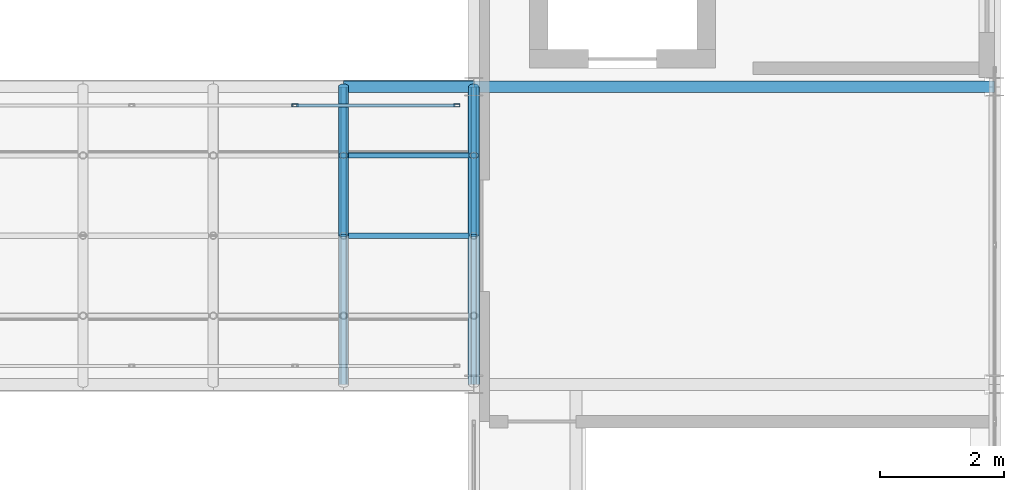
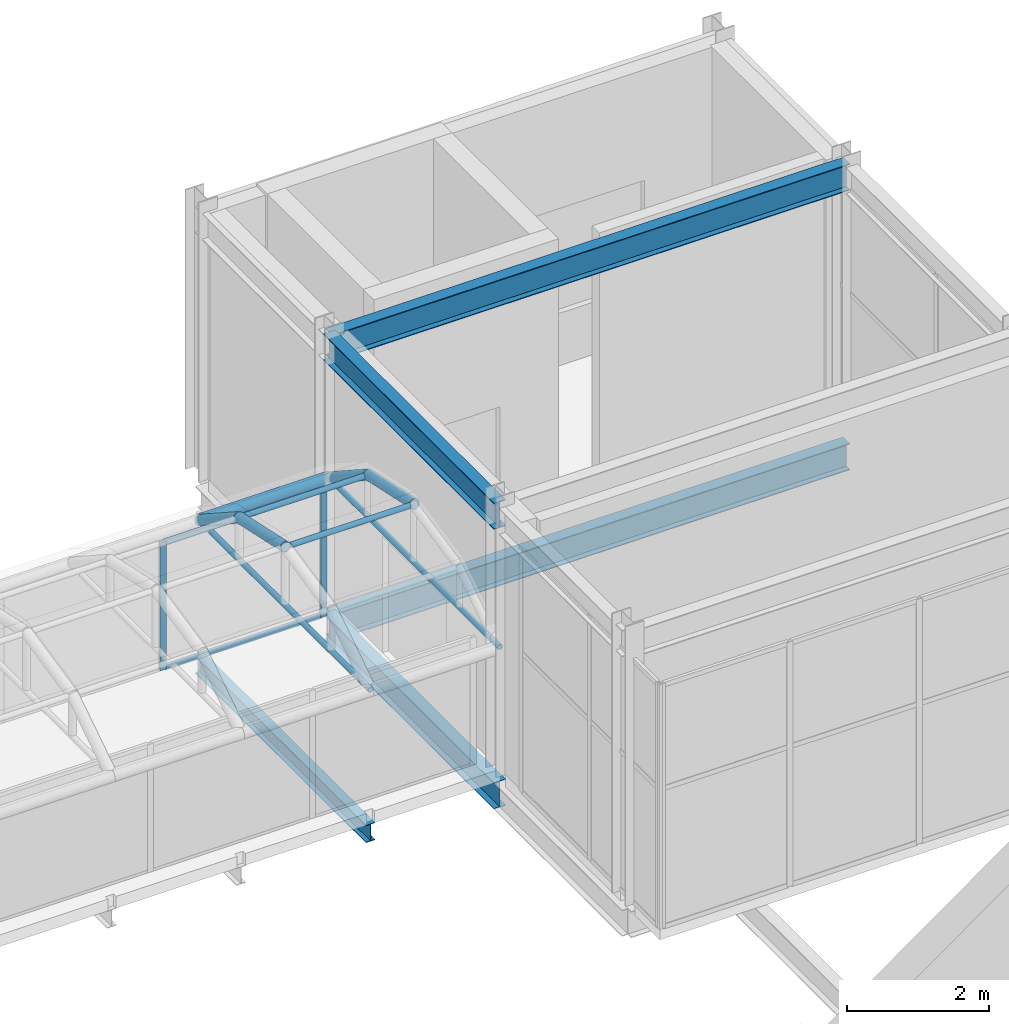
# One storey, part 106 of 167: 11 members, 7 beams, 1 element without a shape of its own.
"""IFC4 building model written with IfcOpenShell, lengths in metres."""

from ifc_helpers import new_model, si_unit, direction, frame, origin, origin_2d, place, context, subcontext, project, spatial, hollow_rectangle, hollow_circle, i_section, extrude, material, material_profile, profile_set, type_object, element, aggregate, save


model = new_model("IFC4")

# Units and contexts
model_context = context("Model", 3, precision=1e-05, world=origin(), true_north=direction((0.0, 1.0)))
body_context = subcontext(model_context, "Body", "Model", "MODEL_VIEW")
ifc_project = project(units=[si_unit("LENGTHUNIT", "METRE"), si_unit("AREAUNIT", "SQUARE_METRE"), si_unit("VOLUMEUNIT", "CUBIC_METRE"), si_unit("PLANEANGLEUNIT", "RADIAN"), si_unit("MASSUNIT", "GRAM", prefix="KILO")], contexts=[model_context])

# Site, building, storey
site_placement = place(None, origin())
site = spatial("IfcSite", under=ifc_project, at=site_placement, CompositionType="ELEMENT")
building_placement = place(site_placement, origin())
building = spatial("IfcBuilding", under=site, at=building_placement, Name="Catenary Quay Ferry Terminal", CompositionType="ELEMENT")
storey_placement = place(building_placement, frame((0.0, 0.0, 6.0)))
storey = spatial("IfcBuildingStorey", under=building, at=storey_placement, Name="L01", CompositionType="ELEMENT", Elevation=6.0)

# Beams
ifc_material_1 = material(Name="Steel S355", Category="steel")
ifc_material_profile_1 = material_profile(ifc_material_1, i_section(OverallWidth=0.18994140625, OverallDepth=0.453369140625, WebThickness=0.008544921875, FlangeThickness=0.0126953125, at=origin_2d()), Name="UB 457x191x67")
ifc_profile_set_1 = profile_set([ifc_material_profile_1], Name="Steel S355")
beam_type_1 = type_object("IfcBeamType", Name="B1 UB 457x191x67", PredefinedType="BEAM", material=ifc_profile_set_1)
beam_1_placement = place(storey_placement, frame((126.0, 94.800048828125, 4.373046875), z_axis=(1.0, 0.0, 0.0), x_axis=(0.0, 1.0, 0.0)))
element("IfcBeam", 1, at=beam_1_placement, inside=storey, type_object=beam_type_1, Name="Beam B1-045", PredefinedType="BEAM", context=body_context, shape_type="SweptSolid", body=[
    extrude(i_section(OverallWidth=0.18994140625, OverallDepth=0.453369140625, WebThickness=0.008544921875, FlangeThickness=0.0126953125, at=origin_2d()), origin(), (0.0, 0.0, 1.0), 8.39990234375),
])
beam_2_placement = place(storey_placement, frame((126.0, 90.0, 4.373046875), z_axis=(0.0, 1.0, 0.0), x_axis=(-1.0, 0.0, 0.0)))
element("IfcBeam", 2, at=beam_2_placement, inside=storey, type_object=beam_type_1, Name="Beam B1-048", PredefinedType="BEAM", context=body_context, shape_type="SweptSolid", body=[
    extrude(i_section(OverallWidth=0.18994140625, OverallDepth=0.453369140625, WebThickness=0.008544921875, FlangeThickness=0.0126953125, at=origin_2d()), origin(), (0.0, 0.0, 1.0), 4.800048828125),
])
beam_3_placement = place(storey_placement, frame((126.0, 94.800048828125, -0.427001953125), z_axis=(1.0, 0.0, 0.0), x_axis=(0.0, 1.0, 0.0)))
element("IfcBeam", 3, at=beam_3_placement, inside=storey, type_object=beam_type_1, Name="Beam B1-074", PredefinedType="BEAM", context=body_context, shape_type="SweptSolid", body=[
    extrude(i_section(OverallWidth=0.18994140625, OverallDepth=0.453369140625, WebThickness=0.008544921875, FlangeThickness=0.0126953125, at=origin_2d()), origin(), (0.0, 0.0, 1.0), 8.39990234375),
])
beam_4_placement = place(storey_placement, frame((126.0, 90.0, -0.427001953125), z_axis=(0.0, 1.0, 0.0), x_axis=(-1.0, 0.0, 0.0)))
element("IfcBeam", 4, at=beam_4_placement, inside=storey, type_object=beam_type_1, Name="Beam B1-077", PredefinedType="BEAM", context=body_context, shape_type="SweptSolid", body=[
    extrude(i_section(OverallWidth=0.18994140625, OverallDepth=0.453369140625, WebThickness=0.008544921875, FlangeThickness=0.0126953125, at=origin_2d()), origin(), (0.0, 0.0, 1.0), 4.800048828125),
])
ifc_material_2 = material(Name="Steel S355", Category="steel")
ifc_material_profile_2 = material_profile(ifc_material_2, i_section(OverallWidth=0.14990234375, OverallDepth=0.300048828125, WebThickness=0.007080078125, FlangeThickness=0.0107421875, at=origin_2d()), Name="IPE 300")
ifc_profile_set_2 = profile_set([ifc_material_profile_2], Name="Steel S355")
beam_type_2 = type_object("IfcBeamType", Name="B2 IPE 300", PredefinedType="BEAM", material=ifc_profile_set_2)
beam_5_placement = place(storey_placement, frame((123.89990234375, 90.0, -0.35009765625), z_axis=(0.0, 1.0, 0.0), x_axis=(-1.0, 0.0, 0.0)))
element("IfcBeam", 5, at=beam_5_placement, inside=storey, type_object=beam_type_2, Name="Beam B2-030", PredefinedType="BEAM", context=body_context, shape_type="SweptSolid", body=[
    extrude(i_section(OverallWidth=0.14990234375, OverallDepth=0.300048828125, WebThickness=0.007080078125, FlangeThickness=0.0107421875, at=origin_2d()), origin(), (0.0, 0.0, 1.0), 4.800048828125),
])

# Curtain wall, members
ifc_material_3 = material(Name="Aluminium and glass", Category="aluminium")
curtain_wall_type = type_object("IfcCurtainWallType", Name="CWB", PredefinedType="NOTDEFINED", material=ifc_material_3)
curtain_wall_placement = place(storey_placement, origin())
curtain_wall = element("IfcCurtainWall", 6, at=curtain_wall_placement, inside=storey, type_object=curtain_wall_type, Name="BB2 curtain wall CW71", PredefinedType="NOTDEFINED")
ifc_material_4 = material(Name="Aluminium", Category="aluminium")
ifc_material_profile_3 = material_profile(ifc_material_4, hollow_rectangle(XDim=0.050048828125, YDim=0.10009765625, WallThickness=0.0048828125, at=origin_2d()), Name="MU1")
ifc_profile_set_3 = profile_set([ifc_material_profile_3], Name="Aluminium")
member_type_1 = type_object("IfcMemberType", Name="MU1", PredefinedType="MULLION", material=ifc_profile_set_3)
member_1_placement = place(storey_placement, frame((123.11669921875, 94.5, 0.0), z_axis=(0.0, 0.0, 1.0), x_axis=(0.0, 1.0, 0.0)))
member_1 = element("IfcMember", 7, at=member_1_placement, type_object=member_type_1, Name="CW71 mullion 3", PredefinedType="MULLION", context=body_context, shape_type="SweptSolid", body=[
    extrude(hollow_rectangle(XDim=0.050048828125, YDim=0.10009765625, WallThickness=0.0048828125, at=origin_2d()), origin(), (0.0, 0.0, 1.0), 2.195068359375),
])
member_2_placement = place(storey_placement, frame((125.72509765625, 94.5, 0.0), z_axis=(0.0, 0.0, 1.0), x_axis=(0.0, 1.0, 0.0)))
member_2 = element("IfcMember", 8, at=member_2_placement, type_object=member_type_1, Name="CW71 mullion 4", PredefinedType="MULLION", context=body_context, shape_type="SweptSolid", body=[
    extrude(hollow_rectangle(XDim=0.050048828125, YDim=0.10009765625, WallThickness=0.0048828125, at=origin_2d()), origin(), (0.0, 0.0, 1.0), 2.195068359375),
])

# Members
ifc_material_5 = material(Name="Steel S355", Category="steel")
ifc_material_profile_4 = material_profile(ifc_material_5, hollow_circle(Radius=0.04443359375, WallThickness=0.0048828125, at=origin_2d()), Name="CHS 88.9x5")
ifc_profile_set_4 = profile_set([ifc_material_profile_4], Name="Steel S355")
member_type_2 = type_object("IfcMemberType", Name="PU3 CHS 88.9x5", PredefinedType="PURLIN", material=ifc_profile_set_4)
for number, where, z_axis, x_axis, name in (
    (9, (123.97998046875, 92.39990234375, 3.10009765625), (1.0, 0.0, 0.0), (0.0, 1.0, 0.0), "Purlin PU-RB2-16-02"),
    (10, (123.97998046875, 93.69189453125, 2.821044921875), (1.0, 0.0, 0.0), (0.0, 1.0, 0.0), "Purlin PU-RB2-16-03"),
):
    element("IfcMember", number, at=place(storey_placement, frame(where, z_axis=z_axis, x_axis=x_axis)), inside=storey, type_object=member_type_2, Name=name, PredefinedType="PURLIN", context=body_context, shape_type="SweptSolid", body=[
        extrude(hollow_circle(Radius=0.04443359375, WallThickness=0.0048828125, at=origin_2d()), origin(), (0.0, 0.0, 1.0), 1.93994140625),
    ])

# Beams
ifc_material_6 = material(Name="Steel S355", Category="steel")
ifc_material_profile_5 = material_profile(ifc_material_6, hollow_circle(Radius=0.04443359375, WallThickness=0.0048828125, at=origin_2d()), Name="CHS 88.9x5")
ifc_profile_set_5 = profile_set([ifc_material_profile_5], Name="Steel S355")
beam_type_3 = type_object("IfcBeamType", Name="TB4 CHS 88.9x5", PredefinedType="BEAM", material=ifc_profile_set_5)
for number, where, z_axis, x_axis, name in (
    (11, (123.89990234375, 90.0, 2.10009765625), (0.0, 1.0, 0.0), (-1.0, 0.0, 0.0), "tie beam RB2-16"),
    (12, (126.0, 90.0, 2.10009765625), (0.0, 1.0, 0.0), (-1.0, 0.0, 0.0), "tie beam RB2-17"),
):
    element("IfcBeam", number, at=place(storey_placement, frame(where, z_axis=z_axis, x_axis=x_axis)), inside=storey, type_object=beam_type_3, Name=name, PredefinedType="BEAM", context=body_context, shape_type="SweptSolid", body=[
        extrude(hollow_circle(Radius=0.04443359375, WallThickness=0.0048828125, at=origin_2d()), origin(), (0.0, 0.0, 1.0), 4.800048828125),
    ])

# Member
ifc_material_7 = material(Name="Steel S355", Category="steel")
ifc_material_profile_6 = material_profile(ifc_material_7, hollow_circle(Radius=0.096923828125, WallThickness=0.010009765625, at=origin_2d()), Name="CHS 193.7x10")
ifc_profile_set_6 = profile_set([ifc_material_profile_6], Name="Steel S355")
member_type_3 = type_object("IfcMemberType", Name="TC2 CHS 193.7x10", PredefinedType="CHORD", material=ifc_profile_set_6)
member_3_placement = place(storey_placement, frame((123.89990234375, 94.800048828125, 2.10009765625), z_axis=(1.0, 0.0, 0.0), x_axis=(0.0, 1.0, 0.0)))
element("IfcMember", 13, at=member_3_placement, inside=storey, type_object=member_type_3, Name="Bridge top chord BB2N-TC16", PredefinedType="CHORD", context=body_context, shape_type="SweptSolid", body=[
    extrude(hollow_circle(Radius=0.096923828125, WallThickness=0.010009765625, at=origin_2d()), origin(), (0.0, 0.0, 1.0), 2.10009765625),
])

ifc_material_8 = material(Name="Aluminium", Category="aluminium")
ifc_material_profile_7 = material_profile(ifc_material_8, hollow_rectangle(XDim=0.050048828125, YDim=0.080078125, WallThickness=0.00390625, at=origin_2d()), Name="TR1")
ifc_profile_set_7 = profile_set([ifc_material_profile_7], Name="Aluminium")
member_type_4 = type_object("IfcMemberType", Name="TR1", PredefinedType="USERDEFINED", material=ifc_profile_set_7)
member_4_placement = place(storey_placement, frame((123.1416015625, 94.5, 0.02490234375), z_axis=(1.0, 0.0, 0.0), x_axis=(0.0, 1.0, 0.0)))
member_4 = element("IfcMember", 14, at=member_4_placement, type_object=member_type_4, Name="CW71 transom 3.1", ObjectType="TRANSOM", PredefinedType="USERDEFINED", context=body_context, shape_type="SweptSolid", body=[
    extrude(hollow_rectangle(XDim=0.050048828125, YDim=0.080078125, WallThickness=0.00390625, at=origin_2d()), origin(), (0.0, 0.0, 1.0), 2.558349609375),
])

member_5_placement = place(storey_placement, frame((123.1416015625, 94.5, 2.169921875), z_axis=(1.0, 0.0, 0.0), x_axis=(0.0, 1.0, 0.0)))
member_5 = element("IfcMember", 15, at=member_5_placement, type_object=member_type_4, Name="CW71 transom 3.2", ObjectType="TRANSOM", PredefinedType="USERDEFINED", context=body_context, shape_type="SweptSolid", body=[
    extrude(hollow_rectangle(XDim=0.050048828125, YDim=0.080078125, WallThickness=0.00390625, at=origin_2d()), origin(), (0.0, 0.0, 1.0), 2.558349609375),
])

aggregate(curtain_wall, [member_1, member_2, member_4, member_5])

# Members
ifc_material_9 = material(Name="Steel S355", Category="steel")
ifc_material_profile_8 = material_profile(ifc_material_9, hollow_circle(Radius=0.084228515625, WallThickness=0.008056640625, at=origin_2d()), Name="CHS 168.3x8")
ifc_profile_set_8 = profile_set([ifc_material_profile_8], Name="Steel S355")
member_type_5 = type_object("IfcMemberType", Name="VR4 CHS 168.3x8", PredefinedType="RAFTER", material=ifc_profile_set_8)
member_6_placement = place(storey_placement, frame((123.89990234375, 92.39990234375, 3.10009765625), z_axis=(0.0, 0.977460543774, -0.211118178672), x_axis=(-1.0, 0.0, 0.0)))
element("IfcMember", 16, at=member_6_placement, inside=storey, type_object=member_type_5, Name="rib RB2-16-03", PredefinedType="RAFTER", context=body_context, shape_type="SweptSolid", body=[
    extrude(hollow_circle(Radius=0.084228515625, WallThickness=0.008056640625, at=origin_2d()), origin(), (0.0, 0.0, 1.0), 1.32177734375),
])
member_7_placement = place(storey_placement, frame((123.89990234375, 93.69189453125, 2.821044921875), z_axis=(0.0, 0.838219928753, -0.545332330823), x_axis=(-1.0, 0.0, 0.0)))
element("IfcMember", 17, at=member_7_placement, inside=storey, type_object=member_type_5, Name="rib RB2-16-04", PredefinedType="RAFTER", context=body_context, shape_type="SweptSolid", body=[
    extrude(hollow_circle(Radius=0.084228515625, WallThickness=0.008056640625, at=origin_2d()), origin(), (0.0, 0.0, 1.0), 1.322021484375),
])
member_8_placement = place(storey_placement, frame((126.0, 92.39990234375, 3.10009765625), z_axis=(0.0, 0.977460543774, -0.211118178672), x_axis=(-1.0, 0.0, 0.0)))
element("IfcMember", 18, at=member_8_placement, inside=storey, type_object=member_type_5, Name="rib RB2-17-03", PredefinedType="RAFTER", context=body_context, shape_type="SweptSolid", body=[
    extrude(hollow_circle(Radius=0.084228515625, WallThickness=0.008056640625, at=origin_2d()), origin(), (0.0, 0.0, 1.0), 1.32177734375),
])
member_9_placement = place(storey_placement, frame((126.0, 93.69189453125, 2.821044921875), z_axis=(0.0, 0.838219928753, -0.545332330823), x_axis=(-1.0, 0.0, 0.0)))
element("IfcMember", 19, at=member_9_placement, inside=storey, type_object=member_type_5, Name="rib RB2-17-04", PredefinedType="RAFTER", context=body_context, shape_type="SweptSolid", body=[
    extrude(hollow_circle(Radius=0.084228515625, WallThickness=0.008056640625, at=origin_2d()), origin(), (0.0, 0.0, 1.0), 1.322021484375),
])

save(model, "model.ifc")
